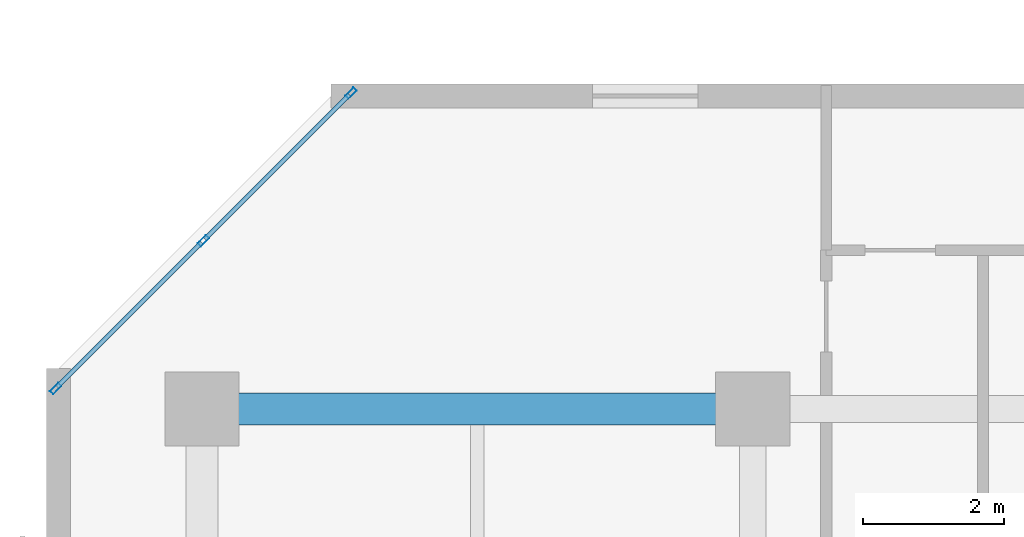
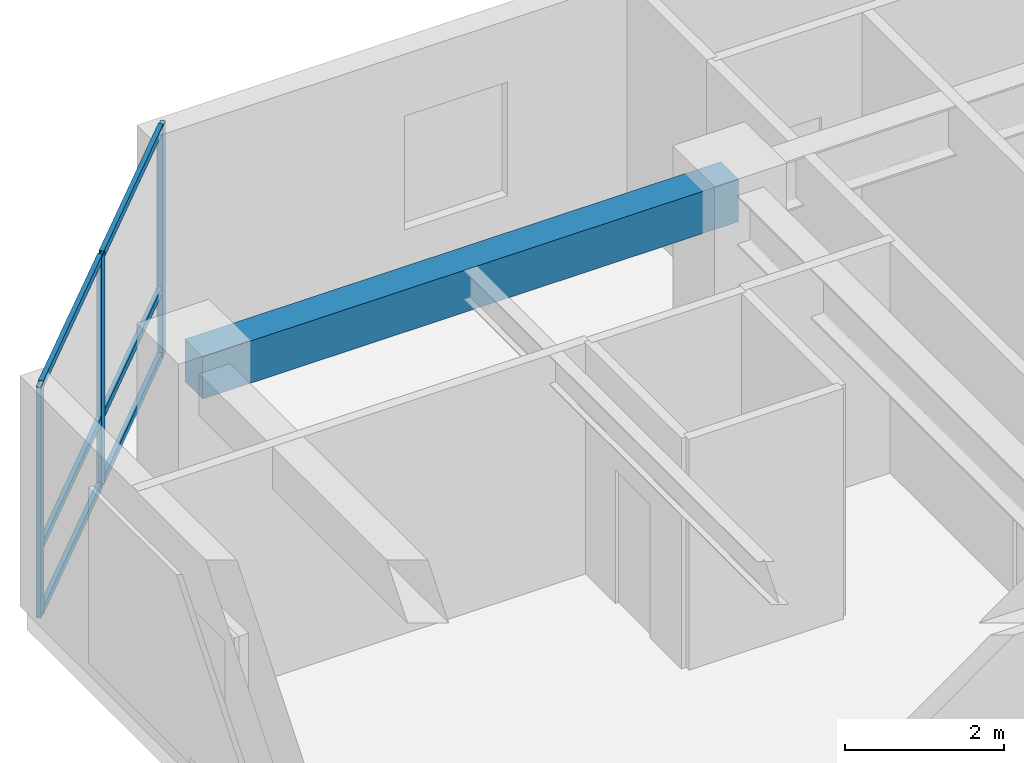
# One storey, part 3 of 11: 9 members, 1 beam, 1 element without a shape of its own.
"""IFC4 building model written with IfcOpenShell, lengths in metres."""

from ifc_helpers import new_model, si_unit, direction, frame, origin, origin_2d, place, context, subcontext, project, spatial, rectangle, hollow_rectangle, extrude, material, layer, layer_set, material_profile, profile_set, type_object, element, aggregate, save


model = new_model("IFC4")

# Units and contexts
model_context = context("Model", 3, precision=1e-05, world=origin(), true_north=direction((0.0, 1.0)))
body_context = subcontext(model_context, "Body", "Model", "MODEL_VIEW")
ifc_project = project(units=[si_unit("LENGTHUNIT", "METRE"), si_unit("AREAUNIT", "SQUARE_METRE"), si_unit("VOLUMEUNIT", "CUBIC_METRE"), si_unit("PLANEANGLEUNIT", "RADIAN"), si_unit("MASSUNIT", "GRAM", prefix="KILO")], contexts=[model_context])

# Site, building, storey
site_placement = place(None, origin())
site = spatial("IfcSite", under=ifc_project, at=site_placement, CompositionType="ELEMENT")
building_placement = place(site_placement, origin())
building = spatial("IfcBuilding", under=site, at=building_placement, Name="Kestravale Grand Hotel", CompositionType="ELEMENT")
storey_placement = place(building_placement, frame((0.0, 0.0, 165.0)))
storey = spatial("IfcBuildingStorey", under=building, at=storey_placement, Name="L41", CompositionType="ELEMENT", Elevation=165.0)

# Beam
ifc_material_1 = material(Name="Concrete f'c 45 MPa", Category="concrete")
ifc_material_profile_1 = material_profile(ifc_material_1, rectangle(XDim=0.449951171875, YDim=0.64990234375, at=origin_2d()))
ifc_profile_set_1 = profile_set([ifc_material_profile_1], Name="Concrete f'c 45 MPa")
beam_type = type_object("IfcBeamType", Name="B-FLR-RC650", PredefinedType="SPANDREL", material=ifc_profile_set_1)
beam_placement = place(storey_placement, frame((7.800048828125, 38.39990234375, 3.22509765625), z_axis=(1.0, 0.0, 0.0), x_axis=(0.0, 1.0, 0.0)))
element("IfcBeam", 1, at=beam_placement, inside=storey, type_object=beam_type, Name="L41 spandrel F:2-3", PredefinedType="SPANDREL", context=body_context, shape_type="SweptSolid", body=[
    extrude(rectangle(XDim=0.449951171875, YDim=0.64990234375, at=origin_2d()), origin(), (0.0, 0.0, 1.0), 7.800048828125),
])

# Curtain wall, members
ifc_material_2 = material(Name="Thermally broken champagne-bronze aluminium and low-E glazing", Category="aluminium")
ifc_layer = layer(ifc_material_2, 0.179931640625)
ifc_layer_set = layer_set([ifc_layer], Name="CW-Z3")
curtain_wall_type = type_object("IfcCurtainWallType", Name="CW-Z3", PredefinedType="NOTDEFINED", material=ifc_layer_set)
curtain_wall_placement = place(storey_placement, origin())
curtain_wall = element("IfcCurtainWall", 2, at=curtain_wall_placement, inside=storey, type_object=curtain_wall_type, Name="L41 unitised curtain wall 18", PredefinedType="NOTDEFINED")
ifc_material_3 = material(Name="Aluminium 6063-T6 anodised", Category="aluminium")
ifc_material_profile_2 = material_profile(ifc_material_3, hollow_rectangle(XDim=0.06494140625, YDim=0.1650390625, WallThickness=0.00341796875, at=origin_2d()))
ifc_profile_set_2 = profile_set([ifc_material_profile_2], Name="Aluminium 6063-T6 anodised")
member_type_1 = type_object("IfcMemberType", Name="CW-MUL-165", PredefinedType="MULLION", material=ifc_profile_set_2)
member_1_placement = place(storey_placement, frame((9.911376953125, 42.87109375, 0.0), z_axis=(0.0, 0.0, 1.0), x_axis=(0.707106781187, -0.707106781187, 0.0)))
member_1 = element("IfcMember", 3, at=member_1_placement, type_object=member_type_1, Name="CW-Z3 mullion 1", PredefinedType="MULLION", context=body_context, shape_type="SweptSolid", body=[
    extrude(hollow_rectangle(XDim=0.06494140625, YDim=0.1650390625, WallThickness=0.00341796875, at=origin_2d()), origin(), (0.0, 0.0, 1.0), 3.550048828125),
])
member_2_placement = place(storey_placement, frame((7.8203125, 40.77978515625, 0.0), z_axis=(0.0, 0.0, 1.0), x_axis=(0.707106781187, -0.707106781187, 0.0)))
member_2 = element("IfcMember", 4, at=member_2_placement, type_object=member_type_1, Name="CW-Z3 mullion 2", PredefinedType="MULLION", context=body_context, shape_type="SweptSolid", body=[
    extrude(hollow_rectangle(XDim=0.06494140625, YDim=0.1650390625, WallThickness=0.00341796875, at=origin_2d()), origin(), (0.0, 0.0, 1.0), 3.550048828125),
])
member_3_placement = place(storey_placement, frame((5.72900390625, 38.6884765625, 0.0), z_axis=(0.0, 0.0, 1.0), x_axis=(0.707106781187, -0.707106781187, 0.0)))
member_3 = element("IfcMember", 5, at=member_3_placement, type_object=member_type_1, Name="CW-Z3 mullion 3", PredefinedType="MULLION", context=body_context, shape_type="SweptSolid", body=[
    extrude(hollow_rectangle(XDim=0.06494140625, YDim=0.1650390625, WallThickness=0.00341796875, at=origin_2d()), origin(), (0.0, 0.0, 1.0), 3.550048828125),
])
ifc_material_4 = material(Name="Aluminium 6063-T6 anodised", Category="aluminium")
ifc_material_profile_3 = material_profile(ifc_material_4, hollow_rectangle(XDim=0.06494140625, YDim=0.114990234375, WallThickness=0.003173828125, at=origin_2d()))
ifc_profile_set_3 = profile_set([ifc_material_profile_3], Name="Aluminium 6063-T6 anodised")
member_type_2 = type_object("IfcMemberType", Name="CW-TRN-115", PredefinedType="USERDEFINED", material=ifc_profile_set_3)
member_4_placement = place(storey_placement, frame((9.888427734375, 42.84814453125, 0.032470703125), z_axis=(-0.707064577195, -0.707148982659, 0.0), x_axis=(0.707148982659, -0.707064577195, 0.0)))
member_4 = element("IfcMember", 6, at=member_4_placement, type_object=member_type_2, Name="CW-Z3 transom 1.1", ObjectType="TRANSOM", PredefinedType="USERDEFINED", context=body_context, shape_type="SweptSolid", body=[
    extrude(hollow_rectangle(XDim=0.06494140625, YDim=0.114990234375, WallThickness=0.003173828125, at=origin_2d()), origin(), (0.0, 0.0, 1.0), 2.892578125),
])
member_5_placement = place(storey_placement, frame((9.888427734375, 42.84814453125, 1.050048828125), z_axis=(-0.707064577195, -0.707148982659, 0.0), x_axis=(0.707148982659, -0.707064577195, 0.0)))
member_5 = element("IfcMember", 7, at=member_5_placement, type_object=member_type_2, Name="CW-Z3 transom 1.2", ObjectType="TRANSOM", PredefinedType="USERDEFINED", context=body_context, shape_type="SweptSolid", body=[
    extrude(hollow_rectangle(XDim=0.06494140625, YDim=0.114990234375, WallThickness=0.003173828125, at=origin_2d()), origin(), (0.0, 0.0, 1.0), 2.892578125),
])
member_6_placement = place(storey_placement, frame((9.888427734375, 42.84814453125, 3.517578125), z_axis=(-0.707064577195, -0.707148982659, 0.0), x_axis=(0.707148982659, -0.707064577195, 0.0)))
member_6 = element("IfcMember", 8, at=member_6_placement, type_object=member_type_2, Name="CW-Z3 transom 1.3", ObjectType="TRANSOM", PredefinedType="USERDEFINED", context=body_context, shape_type="SweptSolid", body=[
    extrude(hollow_rectangle(XDim=0.06494140625, YDim=0.114990234375, WallThickness=0.003173828125, at=origin_2d()), origin(), (0.0, 0.0, 1.0), 2.892578125),
])
member_7_placement = place(storey_placement, frame((7.797119140625, 40.7568359375, 0.032470703125), z_axis=(-0.707106781187, -0.707106781187, 0.0), x_axis=(0.707106781187, -0.707106781187, 0.0)))
member_7 = element("IfcMember", 9, at=member_7_placement, type_object=member_type_2, Name="CW-Z3 transom 2.1", ObjectType="TRANSOM", PredefinedType="USERDEFINED", context=body_context, shape_type="SweptSolid", body=[
    extrude(hollow_rectangle(XDim=0.06494140625, YDim=0.114990234375, WallThickness=0.003173828125, at=origin_2d()), origin(), (0.0, 0.0, 1.0), 2.892333984375),
])
member_8_placement = place(storey_placement, frame((7.797119140625, 40.7568359375, 1.050048828125), z_axis=(-0.707106781187, -0.707106781187, 0.0), x_axis=(0.707106781187, -0.707106781187, 0.0)))
member_8 = element("IfcMember", 10, at=member_8_placement, type_object=member_type_2, Name="CW-Z3 transom 2.2", ObjectType="TRANSOM", PredefinedType="USERDEFINED", context=body_context, shape_type="SweptSolid", body=[
    extrude(hollow_rectangle(XDim=0.06494140625, YDim=0.114990234375, WallThickness=0.003173828125, at=origin_2d()), origin(), (0.0, 0.0, 1.0), 2.892333984375),
])
member_9_placement = place(storey_placement, frame((7.797119140625, 40.7568359375, 3.517578125), z_axis=(-0.707106781187, -0.707106781187, 0.0), x_axis=(0.707106781187, -0.707106781187, 0.0)))
member_9 = element("IfcMember", 11, at=member_9_placement, type_object=member_type_2, Name="CW-Z3 transom 2.3", ObjectType="TRANSOM", PredefinedType="USERDEFINED", context=body_context, shape_type="SweptSolid", body=[
    extrude(hollow_rectangle(XDim=0.06494140625, YDim=0.114990234375, WallThickness=0.003173828125, at=origin_2d()), origin(), (0.0, 0.0, 1.0), 2.892333984375),
])
aggregate(curtain_wall, [member_1, member_2, member_3, member_4, member_5, member_6, member_7, member_8, member_9])

save(model, "model.ifc")
